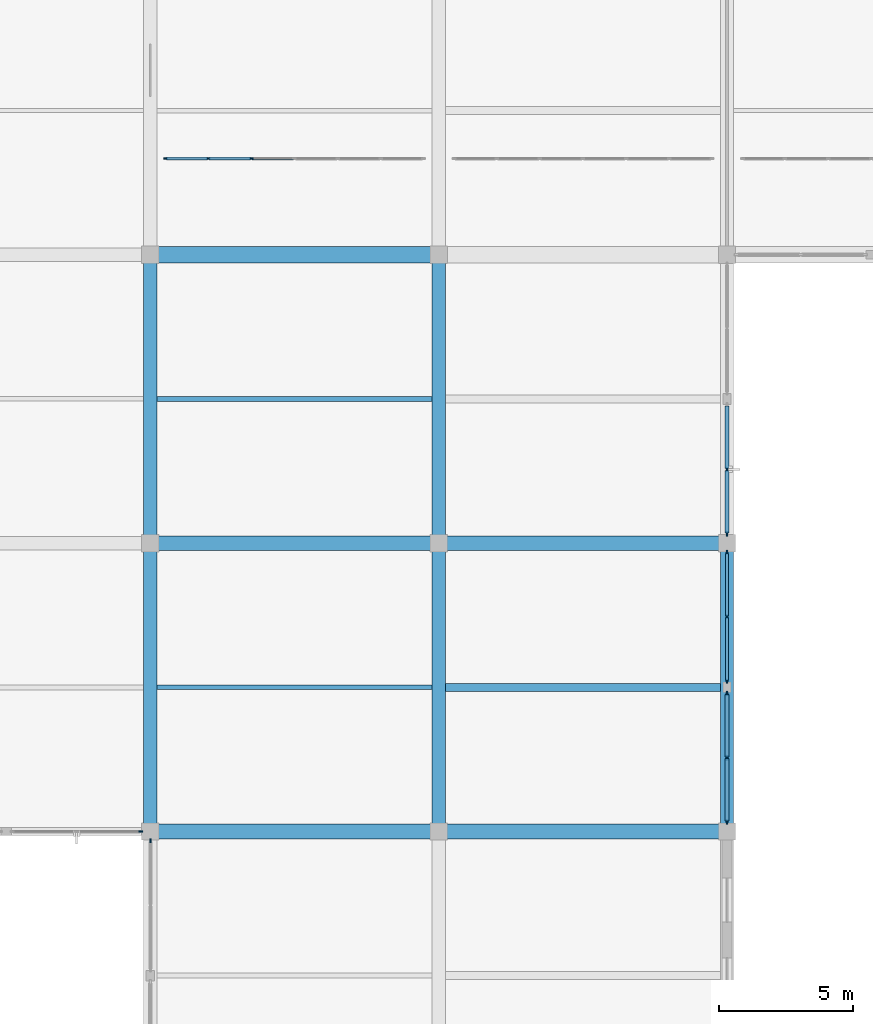
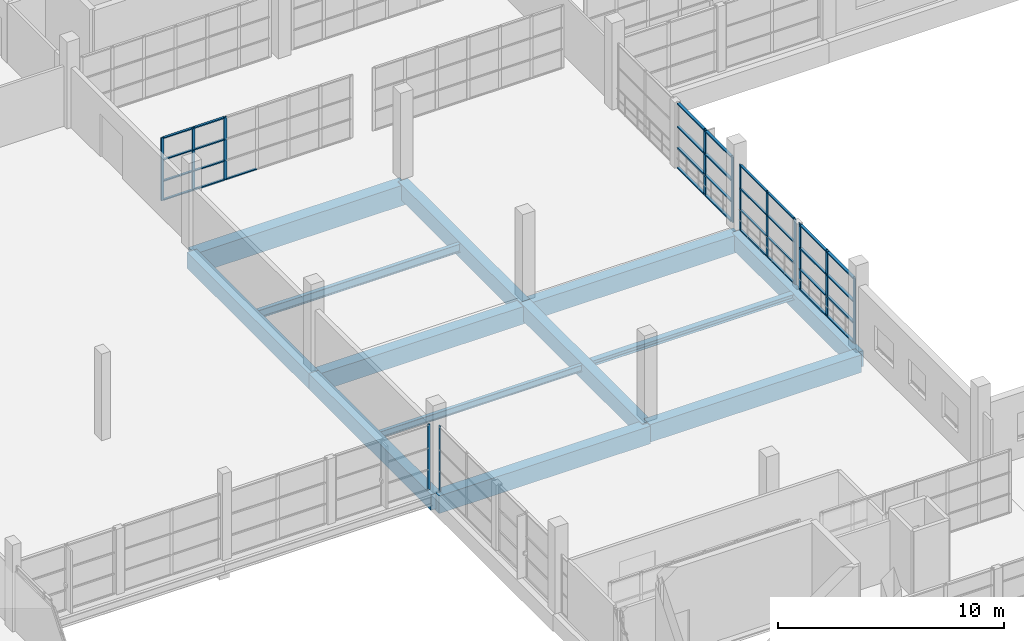
# One storey, part 40 of 142: 46 members, 13 beams, 6 elements without a shape of their own.
"""IFC4 building model written with IfcOpenShell, lengths in metres."""

from ifc_helpers import new_model, si_unit, direction, frame, origin, origin_2d, place, context, subcontext, project, spatial, rectangle, i_section, extrude, material, material_profile, profile_set, type_object, element, aggregate, save


model = new_model("IFC4")

# Units and contexts
model_context = context("Model", 3, precision=1e-05, world=origin(), true_north=direction((0.0, 1.0)))
body_context = subcontext(model_context, "Body", "Model", "MODEL_VIEW")
ifc_project = project(units=[si_unit("LENGTHUNIT", "METRE"), si_unit("AREAUNIT", "SQUARE_METRE"), si_unit("VOLUMEUNIT", "CUBIC_METRE"), si_unit("PLANEANGLEUNIT", "RADIAN"), si_unit("MASSUNIT", "GRAM", prefix="KILO")], contexts=[model_context])

# Site, building, storey
site_placement = place(None, origin())
site = spatial("IfcSite", under=ifc_project, at=site_placement, CompositionType="ELEMENT")
building_placement = place(site_placement, origin())
building = spatial("IfcBuilding", under=site, at=building_placement, Name="Zwinboog Wholesale Market", CompositionType="ELEMENT")
storey_placement = place(building_placement, frame((0.0, 0.0, 5.39990234375)))
storey = spatial("IfcBuildingStorey", under=building, at=storey_placement, Name="L01", CompositionType="ELEMENT", Elevation=5.39990234375)

# Beams
ifc_material_1 = material(Name="Precast concrete C45/55", Category="concrete")
ifc_material_profile_1 = material_profile(ifc_material_1, rectangle(XDim=0.60009765625, YDim=1.10009765625, at=origin_2d()), Name="PC 600x1100")
ifc_profile_set_1 = profile_set([ifc_material_profile_1], Name="Precast concrete C45/55")
beam_type_1 = type_object("IfcBeamType", Name="BT-01", PredefinedType="BEAM", material=ifc_profile_set_1)
beam_1_placement = place(storey_placement, frame((64.800048828125, 86.39990234375, -0.8818359375), z_axis=(1.0, 0.0, 0.0), x_axis=(0.0, 1.0, 0.0)))
element("IfcBeam", 1, at=beam_1_placement, inside=storey, type_object=beam_type_1, Name="BG-01 (BMG-L01-0648-0864-0515)", PredefinedType="BEAM", context=body_context, shape_type="SweptSolid", body=[
    extrude(rectangle(XDim=0.60009765625, YDim=1.10009765625, at=origin_2d()), origin(), (0.0, 0.0, 1.0), 10.800048828125),
])
ifc_material_profile_2 = material_profile(ifc_material_1, rectangle(XDim=0.550048828125, YDim=0.949951171875, at=origin_2d()), Name="PC 550x950")
ifc_profile_set_2 = profile_set([ifc_material_profile_2], Name="Precast concrete C45/55")
beam_type_2 = type_object("IfcBeamType", Name="BT-02", PredefinedType="BEAM", material=ifc_profile_set_2)
beam_2_placement = place(storey_placement, frame((64.800048828125, 64.800048828125, -0.806884765625), z_axis=(1.0, 0.0, 0.0), x_axis=(0.0, 1.0, 0.0)))
element("IfcBeam", 2, at=beam_2_placement, inside=storey, type_object=beam_type_2, Name="BG-02 (BMG-L01-0648-0648-0495)", PredefinedType="BEAM", context=body_context, shape_type="SweptSolid", body=[
    extrude(rectangle(XDim=0.550048828125, YDim=0.949951171875, at=origin_2d()), origin(), (0.0, 0.0, 1.0), 10.800048828125),
])
beam_3_placement = place(storey_placement, frame((75.60009765625, 64.800048828125, -0.72998046875), z_axis=(1.0, 0.0, 0.0), x_axis=(0.0, 1.0, 0.0)))
element("IfcBeam", 3, at=beam_3_placement, inside=storey, type_object=beam_type_2, Name="BG-02 (BMG-L01-0756-0648-0496)", PredefinedType="BEAM", context=body_context, shape_type="SweptSolid", body=[
    extrude(rectangle(XDim=0.550048828125, YDim=0.949951171875, at=origin_2d()), origin(), (0.0, 0.0, 1.0), 10.7998046875),
])
beam_4_placement = place(storey_placement, frame((64.800048828125, 75.60009765625, -0.806884765625), z_axis=(1.0, 0.0, 0.0), x_axis=(0.0, 1.0, 0.0)))
element("IfcBeam", 4, at=beam_4_placement, inside=storey, type_object=beam_type_2, Name="BG-02 (BMG-L01-0648-0756-0505)", PredefinedType="BEAM", context=body_context, shape_type="SweptSolid", body=[
    extrude(rectangle(XDim=0.550048828125, YDim=0.949951171875, at=origin_2d()), origin(), (0.0, 0.0, 1.0), 10.800048828125),
])
beam_5_placement = place(storey_placement, frame((75.60009765625, 75.60009765625, -0.7548828125), z_axis=(1.0, 0.0, 0.0), x_axis=(0.0, 1.0, 0.0)))
element("IfcBeam", 5, at=beam_5_placement, inside=storey, type_object=beam_type_2, Name="BG-02 (BMG-L01-0756-0756-0506)", PredefinedType="BEAM", context=body_context, shape_type="SweptSolid", body=[
    extrude(rectangle(XDim=0.550048828125, YDim=0.949951171875, at=origin_2d()), origin(), (0.0, 0.0, 1.0), 10.7998046875),
])
ifc_material_profile_3 = material_profile(ifc_material_1, rectangle(XDim=0.5, YDim=0.85009765625, at=origin_2d()), Name="PC 500x850")
ifc_profile_set_3 = profile_set([ifc_material_profile_3], Name="Precast concrete C45/55")
beam_type_3 = type_object("IfcBeamType", Name="BT-03", PredefinedType="BEAM", material=ifc_profile_set_3)
beam_6_placement = place(storey_placement, frame((64.800048828125, 64.800048828125, -0.7568359375), z_axis=(0.0, 1.0, 0.0), x_axis=(-1.0, 0.0, 0.0)))
element("IfcBeam", 6, at=beam_6_placement, inside=storey, type_object=beam_type_3, Name="BG-03 (BMG-L01-0648-0648-0667)", PredefinedType="BEAM", context=body_context, shape_type="SweptSolid", body=[
    extrude(rectangle(XDim=0.5, YDim=0.85009765625, at=origin_2d()), origin(), (0.0, 0.0, 1.0), 10.800048828125),
])
beam_7_placement = place(storey_placement, frame((64.800048828125, 75.60009765625, -0.7568359375), z_axis=(0.0, 1.0, 0.0), x_axis=(-1.0, 0.0, 0.0)))
element("IfcBeam", 7, at=beam_7_placement, inside=storey, type_object=beam_type_3, Name="BG-03 (BMG-L01-0648-0756-0668)", PredefinedType="BEAM", context=body_context, shape_type="SweptSolid", body=[
    extrude(rectangle(XDim=0.5, YDim=0.85009765625, at=origin_2d()), origin(), (0.0, 0.0, 1.0), 10.7998046875),
])
beam_8_placement = place(storey_placement, frame((75.60009765625, 64.800048828125, -0.704833984375), z_axis=(0.0, 1.0, 0.0), x_axis=(-1.0, 0.0, 0.0)))
element("IfcBeam", 8, at=beam_8_placement, inside=storey, type_object=beam_type_3, Name="BG-03 (BMG-L01-0756-0648-0675)", PredefinedType="BEAM", context=body_context, shape_type="SweptSolid", body=[
    extrude(rectangle(XDim=0.5, YDim=0.85009765625, at=origin_2d()), origin(), (0.0, 0.0, 1.0), 10.800048828125),
])
beam_9_placement = place(storey_placement, frame((75.60009765625, 75.60009765625, -0.704833984375), z_axis=(0.0, 1.0, 0.0), x_axis=(-1.0, 0.0, 0.0)))
element("IfcBeam", 9, at=beam_9_placement, inside=storey, type_object=beam_type_3, Name="BG-03 (BMG-L01-0756-0756-0676)", PredefinedType="BEAM", context=body_context, shape_type="SweptSolid", body=[
    extrude(rectangle(XDim=0.5, YDim=0.85009765625, at=origin_2d()), origin(), (0.0, 0.0, 1.0), 10.7998046875),
])
beam_10_placement = place(storey_placement, frame((86.39990234375, 64.800048828125, -0.704833984375), z_axis=(0.0, 1.0, 0.0), x_axis=(-1.0, 0.0, 0.0)))
element("IfcBeam", 10, at=beam_10_placement, inside=storey, type_object=beam_type_3, Name="BG-03 (BMG-L01-0864-0648-0683)", PredefinedType="BEAM", context=body_context, shape_type="SweptSolid", body=[
    extrude(rectangle(XDim=0.5, YDim=0.85009765625, at=origin_2d()), origin(), (0.0, 0.0, 1.0), 10.800048828125),
])
ifc_material_2 = material(Name="Steel S355", Category="steel")
ifc_material_profile_4 = material_profile(ifc_material_2, i_section(OverallWidth=0.300048828125, OverallDepth=0.2900390625, WebThickness=0.008544921875, FlangeThickness=0.013916015625, FilletRadius=0.027099609375, at=origin_2d()), Name="HEA 300")
ifc_profile_set_4 = profile_set([ifc_material_profile_4], Name="Steel S355")
beam_type_4 = type_object("IfcBeamType", Name="BT-18", PredefinedType="JOIST", material=ifc_profile_set_4)
beam_11_placement = place(storey_placement, frame((75.85009765625, 70.199951171875, -0.39990234375), z_axis=(1.0, 0.0, 0.0), x_axis=(0.0, 1.0, 0.0)))
element("IfcBeam", 11, at=beam_11_placement, inside=storey, type_object=beam_type_4, Name="SJ-01 (BMG-L01-0758-0702-0821)", PredefinedType="JOIST", context=body_context, shape_type="SweptSolid", body=[
    extrude(i_section(OverallWidth=0.300048828125, OverallDepth=0.2900390625, WebThickness=0.008544921875, FlangeThickness=0.013916015625, FilletRadius=0.027099609375, at=origin_2d()), origin(), (0.0, 0.0, 1.0), 10.2998046875),
])
ifc_material_profile_5 = material_profile(ifc_material_2, i_section(OverallWidth=0.18994140625, OverallDepth=0.449951171875, WebThickness=0.009521484375, FlangeThickness=0.0146484375, FilletRadius=0.02099609375, at=origin_2d()), Name="IPE 450")
ifc_profile_set_5 = profile_set([ifc_material_profile_5], Name="Steel S355")
beam_type_5 = type_object("IfcBeamType", Name="BT-19", PredefinedType="JOIST", material=ifc_profile_set_5)
beam_12_placement = place(storey_placement, frame((65.050048828125, 81.0, -0.556884765625), z_axis=(1.0, 0.0, 0.0), x_axis=(0.0, 1.0, 0.0)))
element("IfcBeam", 12, at=beam_12_placement, inside=storey, type_object=beam_type_5, Name="SJ-02 (BMG-L01-0650-0810-0822)", PredefinedType="JOIST", context=body_context, shape_type="SweptSolid", body=[
    extrude(i_section(OverallWidth=0.18994140625, OverallDepth=0.449951171875, WebThickness=0.009521484375, FlangeThickness=0.0146484375, FilletRadius=0.02099609375, at=origin_2d()), origin(), (0.0, 0.0, 1.0), 10.300048828125),
])
ifc_material_profile_6 = material_profile(ifc_material_2, i_section(OverallWidth=0.169921875, OverallDepth=0.360107421875, WebThickness=0.008056640625, FlangeThickness=0.0126953125, FilletRadius=0.01806640625, at=origin_2d()), Name="IPE 360")
ifc_profile_set_6 = profile_set([ifc_material_profile_6], Name="Steel S355")
beam_type_6 = type_object("IfcBeamType", Name="BT-20", PredefinedType="JOIST", material=ifc_profile_set_6)
beam_13_placement = place(storey_placement, frame((65.050048828125, 70.199951171875, -0.511962890625), z_axis=(1.0, 0.0, 0.0), x_axis=(0.0, 1.0, 0.0)))
element("IfcBeam", 13, at=beam_13_placement, inside=storey, type_object=beam_type_6, Name="SJ-03 (BMG-L01-0650-0702-0819)", PredefinedType="JOIST", context=body_context, shape_type="SweptSolid", body=[
    extrude(i_section(OverallWidth=0.169921875, OverallDepth=0.360107421875, WebThickness=0.008056640625, FlangeThickness=0.0126953125, FilletRadius=0.01806640625, at=origin_2d()), origin(), (0.0, 0.0, 1.0), 10.300048828125),
])

# Curtain wall, members
ifc_material_3 = material(Name="Aluminium thermally broken curtain wall", Category="aluminium")
curtain_wall_type_1 = type_object("IfcCurtainWallType", Name="CWT-STALL-18", PredefinedType="USERDEFINED", material=ifc_material_3)
curtain_wall_1_placement = place(storey_placement, origin())
curtain_wall_1 = element("IfcCurtainWall", 14, at=curtain_wall_1_placement, inside=storey, type_object=curtain_wall_type_1, Name="CW-01 (CW-L01-091)", ObjectType="STOREFRONT_GLAZING", PredefinedType="USERDEFINED")
ifc_material_4 = material(Name="Aluminium EN AW-6060", Category="aluminium")
ifc_material_profile_7 = material_profile(ifc_material_4, rectangle(XDim=0.06494140625, YDim=0.179931640625, at=origin_2d()), Name="AL 65x180")
ifc_profile_set_7 = profile_set([ifc_material_profile_7], Name="Aluminium EN AW-6060")
member_type_1 = type_object("IfcMemberType", Name="CWM-65x180", PredefinedType="MULLION", material=ifc_profile_set_7)
member_1_placement = place(storey_placement, frame((86.39990234375, 65.152587890625, 0.0), z_axis=(0.0, 0.0, 1.0), x_axis=(-1.0, 0.0, 0.0)))
member_1 = element("IfcMember", 15, at=member_1_placement, type_object=member_type_1, Name="CW-01 mullion 1", PredefinedType="MULLION", context=body_context, shape_type="SweptSolid", body=[
    extrude(rectangle(XDim=0.06494140625, YDim=0.179931640625, at=origin_2d()), origin(), (0.0, 0.0, 1.0), 3.530029296875),
])
member_2_placement = place(storey_placement, frame((86.39990234375, 67.56005859375, 0.0), z_axis=(0.0, 0.0, 1.0), x_axis=(-1.0, 0.0, 0.0)))
member_2 = element("IfcMember", 16, at=member_2_placement, type_object=member_type_1, Name="CW-01 mullion 2", PredefinedType="MULLION", context=body_context, shape_type="SweptSolid", body=[
    extrude(rectangle(XDim=0.06494140625, YDim=0.179931640625, at=origin_2d()), origin(), (0.0, 0.0, 1.0), 3.530029296875),
])
member_3_placement = place(storey_placement, frame((86.39990234375, 69.967529296875, 0.0), z_axis=(0.0, 0.0, 1.0), x_axis=(-1.0, 0.0, 0.0)))
member_3 = element("IfcMember", 17, at=member_3_placement, type_object=member_type_1, Name="CW-01 mullion 3", PredefinedType="MULLION", context=body_context, shape_type="SweptSolid", body=[
    extrude(rectangle(XDim=0.06494140625, YDim=0.179931640625, at=origin_2d()), origin(), (0.0, 0.0, 1.0), 3.530029296875),
])

curtain_wall_type_2 = type_object("IfcCurtainWallType", Name="CWT-HALL-24", PredefinedType="USERDEFINED", material=ifc_material_3)
curtain_wall_2_placement = place(storey_placement, origin())
curtain_wall_2 = element("IfcCurtainWall", 18, at=curtain_wall_2_placement, inside=storey, type_object=curtain_wall_type_2, Name="CW-03 (CW-L01-093)", ObjectType="UNITIZED_CURTAIN_WALL", PredefinedType="USERDEFINED")
member_4_placement = place(storey_placement, frame((86.39990234375, 75.952392578125, 0.0), z_axis=(0.0, 0.0, 1.0), x_axis=(-1.0, 0.0, 0.0)))
member_4 = element("IfcMember", 19, at=member_4_placement, type_object=member_type_1, Name="CW-03 mullion 1", PredefinedType="MULLION", context=body_context, shape_type="SweptSolid", body=[
    extrude(rectangle(XDim=0.06494140625, YDim=0.179931640625, at=origin_2d()), origin(), (0.0, 0.0, 1.0), 3.530029296875),
])
member_5_placement = place(storey_placement, frame((86.39990234375, 78.360107421875, 0.0), z_axis=(0.0, 0.0, 1.0), x_axis=(-1.0, 0.0, 0.0)))
member_5 = element("IfcMember", 20, at=member_5_placement, type_object=member_type_1, Name="CW-03 mullion 2", PredefinedType="MULLION", context=body_context, shape_type="SweptSolid", body=[
    extrude(rectangle(XDim=0.06494140625, YDim=0.179931640625, at=origin_2d()), origin(), (0.0, 0.0, 1.0), 3.530029296875),
])

# Curtain wall, member
curtain_wall_type_3 = type_object("IfcCurtainWallType", Name="CWT-OFF-15", PredefinedType="USERDEFINED", material=ifc_material_3)
curtain_wall_3_placement = place(storey_placement, origin())
curtain_wall_3 = element("IfcCurtainWall", 21, at=curtain_wall_3_placement, inside=storey, type_object=curtain_wall_type_3, Name="CW-06 (CW-L01-084)", ObjectType="UNITIZED_CURTAIN_WALL", PredefinedType="USERDEFINED")
ifc_material_profile_8 = material_profile(ifc_material_4, rectangle(XDim=0.06005859375, YDim=0.14990234375, at=origin_2d()), Name="AL 60x150")
ifc_profile_set_8 = profile_set([ifc_material_profile_8], Name="Aluminium EN AW-6060")
member_type_2 = type_object("IfcMemberType", Name="CWM-60x150", PredefinedType="MULLION", material=ifc_profile_set_8)
member_6_placement = place(storey_placement, frame((64.449951171875, 64.800048828125, 0.0), z_axis=(0.0, 0.0, 1.0), x_axis=(0.0, 1.0, 0.0)))
member_6 = element("IfcMember", 22, at=member_6_placement, type_object=member_type_2, Name="CW-06 mullion 3", PredefinedType="MULLION", context=body_context, shape_type="SweptSolid", body=[
    extrude(rectangle(XDim=0.06005859375, YDim=0.14990234375, at=origin_2d()), origin(), (0.0, 0.0, 1.0), 3.530029296875),
])
aggregate(curtain_wall_3, [member_6])

curtain_wall_type_4 = type_object("IfcCurtainWallType", Name="CWT-GAL-16", PredefinedType="USERDEFINED", material=ifc_material_3)
curtain_wall_4_placement = place(storey_placement, origin())
curtain_wall_4 = element("IfcCurtainWall", 23, at=curtain_wall_4_placement, inside=storey, type_object=curtain_wall_type_4, Name="CW-04 (CW-L01-088)", ObjectType="UNITIZED_CURTAIN_WALL", PredefinedType="USERDEFINED")
member_7_placement = place(storey_placement, frame((64.800048828125, 64.449951171875, 0.0), z_axis=(0.0, 0.0, 1.0), x_axis=(-1.0, 0.0, 0.0)))
member_7 = element("IfcMember", 24, at=member_7_placement, type_object=member_type_2, Name="CW-04 mullion 3", PredefinedType="MULLION", context=body_context, shape_type="SweptSolid", body=[
    extrude(rectangle(XDim=0.06005859375, YDim=0.14990234375, at=origin_2d()), origin(), (0.0, 0.0, 1.0), 3.530029296875),
])
aggregate(curtain_wall_4, [member_7])

# Curtain wall, members
curtain_wall_type_5 = type_object("IfcCurtainWallType", Name="CWT-STALL-20", PredefinedType="USERDEFINED", material=ifc_material_3)
curtain_wall_5_placement = place(storey_placement, origin())
curtain_wall_5 = element("IfcCurtainWall", 25, at=curtain_wall_5_placement, inside=storey, type_object=curtain_wall_type_5, Name="CW-02 (CW-L01-092)", ObjectType="STOREFRONT_GLAZING", PredefinedType="USERDEFINED")
member_8_placement = place(storey_placement, frame((86.39990234375, 70.429931640625, 0.0), z_axis=(0.0, 0.0, 1.0), x_axis=(-1.0, 0.0, 0.0)))
member_8 = element("IfcMember", 26, at=member_8_placement, type_object=member_type_2, Name="CW-02 mullion 1", PredefinedType="MULLION", context=body_context, shape_type="SweptSolid", body=[
    extrude(rectangle(XDim=0.06005859375, YDim=0.14990234375, at=origin_2d()), origin(), (0.0, 0.0, 1.0), 3.530029296875),
])
member_9_placement = place(storey_placement, frame((86.39990234375, 72.840087890625, 0.0), z_axis=(0.0, 0.0, 1.0), x_axis=(-1.0, 0.0, 0.0)))
member_9 = element("IfcMember", 27, at=member_9_placement, type_object=member_type_2, Name="CW-02 mullion 2", PredefinedType="MULLION", context=body_context, shape_type="SweptSolid", body=[
    extrude(rectangle(XDim=0.06005859375, YDim=0.14990234375, at=origin_2d()), origin(), (0.0, 0.0, 1.0), 3.530029296875),
])
member_10_placement = place(storey_placement, frame((86.39990234375, 75.25, 0.0), z_axis=(0.0, 0.0, 1.0), x_axis=(-1.0, 0.0, 0.0)))
member_10 = element("IfcMember", 28, at=member_10_placement, type_object=member_type_2, Name="CW-02 mullion 3", PredefinedType="MULLION", context=body_context, shape_type="SweptSolid", body=[
    extrude(rectangle(XDim=0.06005859375, YDim=0.14990234375, at=origin_2d()), origin(), (0.0, 0.0, 1.0), 3.530029296875),
])

# Member
ifc_material_profile_9 = material_profile(ifc_material_4, rectangle(XDim=0.139892578125, YDim=0.06494140625, at=origin_2d()), Name="AL 65x140")
ifc_profile_set_9 = profile_set([ifc_material_profile_9], Name="Aluminium EN AW-6060")
member_type_3 = type_object("IfcMemberType", Name="CWT-65x140", PredefinedType="USERDEFINED", material=ifc_profile_set_9)
member_11_placement = place(storey_placement, frame((86.39990234375, 65.18505859375, 0.03271484375), z_axis=(0.0, 1.0, 0.0), x_axis=(-1.0, 0.0, 0.0)))
member_11 = element("IfcMember", 29, at=member_11_placement, type_object=member_type_3, Name="CW-01 transom 1.1", ObjectType="TRANSOM", PredefinedType="USERDEFINED", context=body_context, shape_type="SweptSolid", body=[
    extrude(rectangle(XDim=0.139892578125, YDim=0.06494140625, at=origin_2d()), origin(), (0.0, 0.0, 1.0), 2.342529296875),
])

member_12_placement = place(storey_placement, frame((86.39990234375, 65.18505859375, 1.10009765625), z_axis=(0.0, 1.0, 0.0), x_axis=(-1.0, 0.0, 0.0)))
member_12 = element("IfcMember", 30, at=member_12_placement, type_object=member_type_3, Name="CW-01 transom 1.2", ObjectType="TRANSOM", PredefinedType="USERDEFINED", context=body_context, shape_type="SweptSolid", body=[
    extrude(rectangle(XDim=0.139892578125, YDim=0.06494140625, at=origin_2d()), origin(), (0.0, 0.0, 1.0), 2.342529296875),
])

member_13_placement = place(storey_placement, frame((86.39990234375, 65.18505859375, 2.25), z_axis=(0.0, 1.0, 0.0), x_axis=(-1.0, 0.0, 0.0)))
member_13 = element("IfcMember", 31, at=member_13_placement, type_object=member_type_3, Name="CW-01 transom 1.3", ObjectType="TRANSOM", PredefinedType="USERDEFINED", context=body_context, shape_type="SweptSolid", body=[
    extrude(rectangle(XDim=0.139892578125, YDim=0.06494140625, at=origin_2d()), origin(), (0.0, 0.0, 1.0), 2.342529296875),
])

member_14_placement = place(storey_placement, frame((86.39990234375, 65.18505859375, 3.49755859375), z_axis=(0.0, 1.0, 0.0), x_axis=(-1.0, 0.0, 0.0)))
member_14 = element("IfcMember", 32, at=member_14_placement, type_object=member_type_3, Name="CW-01 transom 1.4", ObjectType="TRANSOM", PredefinedType="USERDEFINED", context=body_context, shape_type="SweptSolid", body=[
    extrude(rectangle(XDim=0.139892578125, YDim=0.06494140625, at=origin_2d()), origin(), (0.0, 0.0, 1.0), 2.342529296875),
])

member_15_placement = place(storey_placement, frame((86.39990234375, 67.592529296875, 0.03271484375), z_axis=(0.0, 1.0, 0.0), x_axis=(-1.0, 0.0, 0.0)))
member_15 = element("IfcMember", 33, at=member_15_placement, type_object=member_type_3, Name="CW-01 transom 2.1", ObjectType="TRANSOM", PredefinedType="USERDEFINED", context=body_context, shape_type="SweptSolid", body=[
    extrude(rectangle(XDim=0.139892578125, YDim=0.06494140625, at=origin_2d()), origin(), (0.0, 0.0, 1.0), 2.342529296875),
])

member_16_placement = place(storey_placement, frame((86.39990234375, 67.592529296875, 1.10009765625), z_axis=(0.0, 1.0, 0.0), x_axis=(-1.0, 0.0, 0.0)))
member_16 = element("IfcMember", 34, at=member_16_placement, type_object=member_type_3, Name="CW-01 transom 2.2", ObjectType="TRANSOM", PredefinedType="USERDEFINED", context=body_context, shape_type="SweptSolid", body=[
    extrude(rectangle(XDim=0.139892578125, YDim=0.06494140625, at=origin_2d()), origin(), (0.0, 0.0, 1.0), 2.342529296875),
])

member_17_placement = place(storey_placement, frame((86.39990234375, 67.592529296875, 2.25), z_axis=(0.0, 1.0, 0.0), x_axis=(-1.0, 0.0, 0.0)))
member_17 = element("IfcMember", 35, at=member_17_placement, type_object=member_type_3, Name="CW-01 transom 2.3", ObjectType="TRANSOM", PredefinedType="USERDEFINED", context=body_context, shape_type="SweptSolid", body=[
    extrude(rectangle(XDim=0.139892578125, YDim=0.06494140625, at=origin_2d()), origin(), (0.0, 0.0, 1.0), 2.342529296875),
])

member_18_placement = place(storey_placement, frame((86.39990234375, 67.592529296875, 3.49755859375), z_axis=(0.0, 1.0, 0.0), x_axis=(-1.0, 0.0, 0.0)))
member_18 = element("IfcMember", 36, at=member_18_placement, type_object=member_type_3, Name="CW-01 transom 2.4", ObjectType="TRANSOM", PredefinedType="USERDEFINED", context=body_context, shape_type="SweptSolid", body=[
    extrude(rectangle(XDim=0.139892578125, YDim=0.06494140625, at=origin_2d()), origin(), (0.0, 0.0, 1.0), 2.342529296875),
])

aggregate(curtain_wall_1, [member_1, member_2, member_3, member_11, member_12, member_13, member_14, member_15, member_16, member_17, member_18])

member_19_placement = place(storey_placement, frame((86.39990234375, 75.985107421875, 0.03271484375), z_axis=(0.0, 1.0, 0.0), x_axis=(-1.0, 0.0, 0.0)))
member_19 = element("IfcMember", 37, at=member_19_placement, type_object=member_type_3, Name="CW-03 transom 1.1", ObjectType="TRANSOM", PredefinedType="USERDEFINED", context=body_context, shape_type="SweptSolid", body=[
    extrude(rectangle(XDim=0.139892578125, YDim=0.06494140625, at=origin_2d()), origin(), (0.0, 0.0, 1.0), 2.34228515625),
])

member_20_placement = place(storey_placement, frame((86.39990234375, 75.985107421875, 1.10009765625), z_axis=(0.0, 1.0, 0.0), x_axis=(-1.0, 0.0, 0.0)))
member_20 = element("IfcMember", 38, at=member_20_placement, type_object=member_type_3, Name="CW-03 transom 1.2", ObjectType="TRANSOM", PredefinedType="USERDEFINED", context=body_context, shape_type="SweptSolid", body=[
    extrude(rectangle(XDim=0.139892578125, YDim=0.06494140625, at=origin_2d()), origin(), (0.0, 0.0, 1.0), 2.34228515625),
])

member_21_placement = place(storey_placement, frame((86.39990234375, 75.985107421875, 2.25), z_axis=(0.0, 1.0, 0.0), x_axis=(-1.0, 0.0, 0.0)))
member_21 = element("IfcMember", 39, at=member_21_placement, type_object=member_type_3, Name="CW-03 transom 1.3", ObjectType="TRANSOM", PredefinedType="USERDEFINED", context=body_context, shape_type="SweptSolid", body=[
    extrude(rectangle(XDim=0.139892578125, YDim=0.06494140625, at=origin_2d()), origin(), (0.0, 0.0, 1.0), 2.34228515625),
])

member_22_placement = place(storey_placement, frame((86.39990234375, 75.985107421875, 3.49755859375), z_axis=(0.0, 1.0, 0.0), x_axis=(-1.0, 0.0, 0.0)))
member_22 = element("IfcMember", 40, at=member_22_placement, type_object=member_type_3, Name="CW-03 transom 1.4", ObjectType="TRANSOM", PredefinedType="USERDEFINED", context=body_context, shape_type="SweptSolid", body=[
    extrude(rectangle(XDim=0.139892578125, YDim=0.06494140625, at=origin_2d()), origin(), (0.0, 0.0, 1.0), 2.34228515625),
])

member_23_placement = place(storey_placement, frame((86.39990234375, 78.392578125, 0.03271484375), z_axis=(0.0, 1.0, 0.0), x_axis=(-1.0, 0.0, 0.0)))
member_23 = element("IfcMember", 41, at=member_23_placement, type_object=member_type_3, Name="CW-03 transom 2.1", ObjectType="TRANSOM", PredefinedType="USERDEFINED", context=body_context, shape_type="SweptSolid", body=[
    extrude(rectangle(XDim=0.139892578125, YDim=0.06494140625, at=origin_2d()), origin(), (0.0, 0.0, 1.0), 2.342529296875),
])

member_24_placement = place(storey_placement, frame((86.39990234375, 78.392578125, 1.10009765625), z_axis=(0.0, 1.0, 0.0), x_axis=(-1.0, 0.0, 0.0)))
member_24 = element("IfcMember", 42, at=member_24_placement, type_object=member_type_3, Name="CW-03 transom 2.2", ObjectType="TRANSOM", PredefinedType="USERDEFINED", context=body_context, shape_type="SweptSolid", body=[
    extrude(rectangle(XDim=0.139892578125, YDim=0.06494140625, at=origin_2d()), origin(), (0.0, 0.0, 1.0), 2.342529296875),
])

member_25_placement = place(storey_placement, frame((86.39990234375, 78.392578125, 2.25), z_axis=(0.0, 1.0, 0.0), x_axis=(-1.0, 0.0, 0.0)))
member_25 = element("IfcMember", 43, at=member_25_placement, type_object=member_type_3, Name="CW-03 transom 2.3", ObjectType="TRANSOM", PredefinedType="USERDEFINED", context=body_context, shape_type="SweptSolid", body=[
    extrude(rectangle(XDim=0.139892578125, YDim=0.06494140625, at=origin_2d()), origin(), (0.0, 0.0, 1.0), 2.342529296875),
])

member_26_placement = place(storey_placement, frame((86.39990234375, 78.392578125, 3.49755859375), z_axis=(0.0, 1.0, 0.0), x_axis=(-1.0, 0.0, 0.0)))
member_26 = element("IfcMember", 44, at=member_26_placement, type_object=member_type_3, Name="CW-03 transom 2.4", ObjectType="TRANSOM", PredefinedType="USERDEFINED", context=body_context, shape_type="SweptSolid", body=[
    extrude(rectangle(XDim=0.139892578125, YDim=0.06494140625, at=origin_2d()), origin(), (0.0, 0.0, 1.0), 2.342529296875),
])

aggregate(curtain_wall_2, [member_4, member_5, member_19, member_20, member_21, member_22, member_23, member_24, member_25, member_26])

ifc_material_profile_10 = material_profile(ifc_material_4, rectangle(XDim=0.110107421875, YDim=0.06005859375, at=origin_2d()), Name="AL 60x110")
ifc_profile_set_10 = profile_set([ifc_material_profile_10], Name="Aluminium EN AW-6060")
member_type_4 = type_object("IfcMemberType", Name="CWT-60x110", PredefinedType="USERDEFINED", material=ifc_profile_set_10)
member_27_placement = place(storey_placement, frame((86.39990234375, 70.4599609375, 0.030029296875), z_axis=(0.0, 1.0, 0.0), x_axis=(-1.0, 0.0, 0.0)))
member_27 = element("IfcMember", 45, at=member_27_placement, type_object=member_type_4, Name="CW-02 transom 1.1", ObjectType="TRANSOM", PredefinedType="USERDEFINED", context=body_context, shape_type="SweptSolid", body=[
    extrude(rectangle(XDim=0.110107421875, YDim=0.06005859375, at=origin_2d()), origin(), (0.0, 0.0, 1.0), 2.35009765625),
])

member_28_placement = place(storey_placement, frame((86.39990234375, 70.4599609375, 1.10009765625), z_axis=(0.0, 1.0, 0.0), x_axis=(-1.0, 0.0, 0.0)))
member_28 = element("IfcMember", 46, at=member_28_placement, type_object=member_type_4, Name="CW-02 transom 1.2", ObjectType="TRANSOM", PredefinedType="USERDEFINED", context=body_context, shape_type="SweptSolid", body=[
    extrude(rectangle(XDim=0.110107421875, YDim=0.06005859375, at=origin_2d()), origin(), (0.0, 0.0, 1.0), 2.35009765625),
])

member_29_placement = place(storey_placement, frame((86.39990234375, 70.4599609375, 2.25), z_axis=(0.0, 1.0, 0.0), x_axis=(-1.0, 0.0, 0.0)))
member_29 = element("IfcMember", 47, at=member_29_placement, type_object=member_type_4, Name="CW-02 transom 1.3", ObjectType="TRANSOM", PredefinedType="USERDEFINED", context=body_context, shape_type="SweptSolid", body=[
    extrude(rectangle(XDim=0.110107421875, YDim=0.06005859375, at=origin_2d()), origin(), (0.0, 0.0, 1.0), 2.35009765625),
])

member_30_placement = place(storey_placement, frame((86.39990234375, 70.4599609375, 3.5), z_axis=(0.0, 1.0, 0.0), x_axis=(-1.0, 0.0, 0.0)))
member_30 = element("IfcMember", 48, at=member_30_placement, type_object=member_type_4, Name="CW-02 transom 1.4", ObjectType="TRANSOM", PredefinedType="USERDEFINED", context=body_context, shape_type="SweptSolid", body=[
    extrude(rectangle(XDim=0.110107421875, YDim=0.06005859375, at=origin_2d()), origin(), (0.0, 0.0, 1.0), 2.35009765625),
])

member_31_placement = place(storey_placement, frame((86.39990234375, 72.8701171875, 0.030029296875), z_axis=(0.0, 1.0, 0.0), x_axis=(-1.0, 0.0, 0.0)))
member_31 = element("IfcMember", 49, at=member_31_placement, type_object=member_type_4, Name="CW-02 transom 2.1", ObjectType="TRANSOM", PredefinedType="USERDEFINED", context=body_context, shape_type="SweptSolid", body=[
    extrude(rectangle(XDim=0.110107421875, YDim=0.06005859375, at=origin_2d()), origin(), (0.0, 0.0, 1.0), 2.349853515625),
])

member_32_placement = place(storey_placement, frame((86.39990234375, 72.8701171875, 1.10009765625), z_axis=(0.0, 1.0, 0.0), x_axis=(-1.0, 0.0, 0.0)))
member_32 = element("IfcMember", 50, at=member_32_placement, type_object=member_type_4, Name="CW-02 transom 2.2", ObjectType="TRANSOM", PredefinedType="USERDEFINED", context=body_context, shape_type="SweptSolid", body=[
    extrude(rectangle(XDim=0.110107421875, YDim=0.06005859375, at=origin_2d()), origin(), (0.0, 0.0, 1.0), 2.349853515625),
])

member_33_placement = place(storey_placement, frame((86.39990234375, 72.8701171875, 2.25), z_axis=(0.0, 1.0, 0.0), x_axis=(-1.0, 0.0, 0.0)))
member_33 = element("IfcMember", 51, at=member_33_placement, type_object=member_type_4, Name="CW-02 transom 2.3", ObjectType="TRANSOM", PredefinedType="USERDEFINED", context=body_context, shape_type="SweptSolid", body=[
    extrude(rectangle(XDim=0.110107421875, YDim=0.06005859375, at=origin_2d()), origin(), (0.0, 0.0, 1.0), 2.349853515625),
])

member_34_placement = place(storey_placement, frame((86.39990234375, 72.8701171875, 3.5), z_axis=(0.0, 1.0, 0.0), x_axis=(-1.0, 0.0, 0.0)))
member_34 = element("IfcMember", 52, at=member_34_placement, type_object=member_type_4, Name="CW-02 transom 2.4", ObjectType="TRANSOM", PredefinedType="USERDEFINED", context=body_context, shape_type="SweptSolid", body=[
    extrude(rectangle(XDim=0.110107421875, YDim=0.06005859375, at=origin_2d()), origin(), (0.0, 0.0, 1.0), 2.349853515625),
])

aggregate(curtain_wall_5, [member_8, member_9, member_10, member_27, member_28, member_29, member_30, member_31, member_32, member_33, member_34])

# Curtain wall, members
curtain_wall_type_6 = type_object("IfcCurtainWallType", Name="CWT-INT-STALL", PredefinedType="USERDEFINED", material=ifc_material_3)
curtain_wall_6_placement = place(storey_placement, origin())
curtain_wall_6 = element("IfcCurtainWall", 53, at=curtain_wall_6_placement, inside=storey, type_object=curtain_wall_type_6, Name="CW-07 (CW-STL-235)", ObjectType="STOREFRONT_GLAZING", PredefinedType="USERDEFINED")
ifc_material_profile_11 = material_profile(ifc_material_4, rectangle(XDim=0.06005859375, YDim=0.14990234375, at=origin_2d()), Name="AL 60x150")
ifc_profile_set_11 = profile_set([ifc_material_profile_11], Name="Aluminium EN AW-6060")
member_type_5 = type_object("IfcMemberType", Name="CWM-INT-60x120", PredefinedType="MULLION", material=ifc_profile_set_11)
member_35_placement = place(storey_placement, frame((65.3798828125, 90.0, 0.0), z_axis=(0.0, 0.0, 1.0), x_axis=(0.0, 1.0, 0.0)))
member_35 = element("IfcMember", 54, at=member_35_placement, type_object=member_type_5, Name="CW-07 mullion 1", PredefinedType="MULLION", context=body_context, shape_type="SweptSolid", body=[
    extrude(rectangle(XDim=0.06005859375, YDim=0.14990234375, at=origin_2d()), origin(), (0.0, 0.0, 1.0), 3.400146484375),
])
member_36_placement = place(storey_placement, frame((66.966552734375, 90.0, 0.0), z_axis=(0.0, 0.0, 1.0), x_axis=(0.0, 1.0, 0.0)))
member_36 = element("IfcMember", 55, at=member_36_placement, type_object=member_type_5, Name="CW-07 mullion 2", PredefinedType="MULLION", context=body_context, shape_type="SweptSolid", body=[
    extrude(rectangle(XDim=0.06005859375, YDim=0.14990234375, at=origin_2d()), origin(), (0.0, 0.0, 1.0), 3.400146484375),
])
member_37_placement = place(storey_placement, frame((68.583251953125, 90.0, 0.0), z_axis=(0.0, 0.0, 1.0), x_axis=(0.0, 1.0, 0.0)))
member_37 = element("IfcMember", 56, at=member_37_placement, type_object=member_type_5, Name="CW-07 mullion 3", PredefinedType="MULLION", context=body_context, shape_type="SweptSolid", body=[
    extrude(rectangle(XDim=0.06005859375, YDim=0.14990234375, at=origin_2d()), origin(), (0.0, 0.0, 1.0), 3.400146484375),
])
ifc_material_profile_12 = material_profile(ifc_material_4, rectangle(XDim=0.110107421875, YDim=0.06005859375, at=origin_2d()), Name="AL 60x110")
ifc_profile_set_12 = profile_set([ifc_material_profile_12], Name="Aluminium EN AW-6060")
member_type_6 = type_object("IfcMemberType", Name="CWT-INT-60x100", PredefinedType="USERDEFINED", material=ifc_profile_set_12)
member_38_placement = place(storey_placement, frame((65.409912109375, 90.0, 0.030029296875), z_axis=(1.0, 0.0, 0.0), x_axis=(0.0, 1.0, 0.0)))
member_38 = element("IfcMember", 57, at=member_38_placement, type_object=member_type_6, Name="CW-07 transom 1.1", ObjectType="TRANSOM", PredefinedType="USERDEFINED", context=body_context, shape_type="SweptSolid", body=[
    extrude(rectangle(XDim=0.110107421875, YDim=0.06005859375, at=origin_2d()), origin(), (0.0, 0.0, 1.0), 1.52685546875),
])
member_39_placement = place(storey_placement, frame((65.409912109375, 90.0, 1.050048828125), z_axis=(1.0, 0.0, 0.0), x_axis=(0.0, 1.0, 0.0)))
member_39 = element("IfcMember", 58, at=member_39_placement, type_object=member_type_6, Name="CW-07 transom 1.2", ObjectType="TRANSOM", PredefinedType="USERDEFINED", context=body_context, shape_type="SweptSolid", body=[
    extrude(rectangle(XDim=0.110107421875, YDim=0.06005859375, at=origin_2d()), origin(), (0.0, 0.0, 1.0), 1.52685546875),
])
member_40_placement = place(storey_placement, frame((65.409912109375, 90.0, 2.2001953125), z_axis=(1.0, 0.0, 0.0), x_axis=(0.0, 1.0, 0.0)))
member_40 = element("IfcMember", 59, at=member_40_placement, type_object=member_type_6, Name="CW-07 transom 1.3", ObjectType="TRANSOM", PredefinedType="USERDEFINED", context=body_context, shape_type="SweptSolid", body=[
    extrude(rectangle(XDim=0.110107421875, YDim=0.06005859375, at=origin_2d()), origin(), (0.0, 0.0, 1.0), 1.52685546875),
])
member_41_placement = place(storey_placement, frame((65.409912109375, 90.0, 3.3701171875), z_axis=(1.0, 0.0, 0.0), x_axis=(0.0, 1.0, 0.0)))
member_41 = element("IfcMember", 60, at=member_41_placement, type_object=member_type_6, Name="CW-07 transom 1.4", ObjectType="TRANSOM", PredefinedType="USERDEFINED", context=body_context, shape_type="SweptSolid", body=[
    extrude(rectangle(XDim=0.110107421875, YDim=0.06005859375, at=origin_2d()), origin(), (0.0, 0.0, 1.0), 1.52685546875),
])
member_42_placement = place(storey_placement, frame((66.99658203125, 90.0, 0.030029296875), z_axis=(1.0, 0.0, 0.0), x_axis=(0.0, 1.0, 0.0)))
member_42 = element("IfcMember", 61, at=member_42_placement, type_object=member_type_6, Name="CW-07 transom 2.1", ObjectType="TRANSOM", PredefinedType="USERDEFINED", context=body_context, shape_type="SweptSolid", body=[
    extrude(rectangle(XDim=0.110107421875, YDim=0.06005859375, at=origin_2d()), origin(), (0.0, 0.0, 1.0), 1.556640625),
])
member_43_placement = place(storey_placement, frame((66.99658203125, 90.0, 1.050048828125), z_axis=(1.0, 0.0, 0.0), x_axis=(0.0, 1.0, 0.0)))
member_43 = element("IfcMember", 62, at=member_43_placement, type_object=member_type_6, Name="CW-07 transom 2.2", ObjectType="TRANSOM", PredefinedType="USERDEFINED", context=body_context, shape_type="SweptSolid", body=[
    extrude(rectangle(XDim=0.110107421875, YDim=0.06005859375, at=origin_2d()), origin(), (0.0, 0.0, 1.0), 1.556640625),
])
member_44_placement = place(storey_placement, frame((66.99658203125, 90.0, 2.2001953125), z_axis=(1.0, 0.0, 0.0), x_axis=(0.0, 1.0, 0.0)))
member_44 = element("IfcMember", 63, at=member_44_placement, type_object=member_type_6, Name="CW-07 transom 2.3", ObjectType="TRANSOM", PredefinedType="USERDEFINED", context=body_context, shape_type="SweptSolid", body=[
    extrude(rectangle(XDim=0.110107421875, YDim=0.06005859375, at=origin_2d()), origin(), (0.0, 0.0, 1.0), 1.556640625),
])
member_45_placement = place(storey_placement, frame((66.99658203125, 90.0, 3.3701171875), z_axis=(1.0, 0.0, 0.0), x_axis=(0.0, 1.0, 0.0)))
member_45 = element("IfcMember", 64, at=member_45_placement, type_object=member_type_6, Name="CW-07 transom 2.4", ObjectType="TRANSOM", PredefinedType="USERDEFINED", context=body_context, shape_type="SweptSolid", body=[
    extrude(rectangle(XDim=0.110107421875, YDim=0.06005859375, at=origin_2d()), origin(), (0.0, 0.0, 1.0), 1.556640625),
])
member_46_placement = place(storey_placement, frame((68.61328125, 90.0, 0.030029296875), z_axis=(1.0, 0.0, 0.0), x_axis=(0.0, 1.0, 0.0)))
member_46 = element("IfcMember", 65, at=member_46_placement, type_object=member_type_6, Name="CW-07 transom 3.1", ObjectType="TRANSOM", PredefinedType="USERDEFINED", context=body_context, shape_type="SweptSolid", body=[
    extrude(rectangle(XDim=0.110107421875, YDim=0.06005859375, at=origin_2d()), origin(), (0.0, 0.0, 1.0), 1.556640625),
])
aggregate(curtain_wall_6, [member_35, member_36, member_37, member_38, member_39, member_40, member_41, member_42, member_43, member_44, member_45, member_46])

save(model, "model.ifc")
